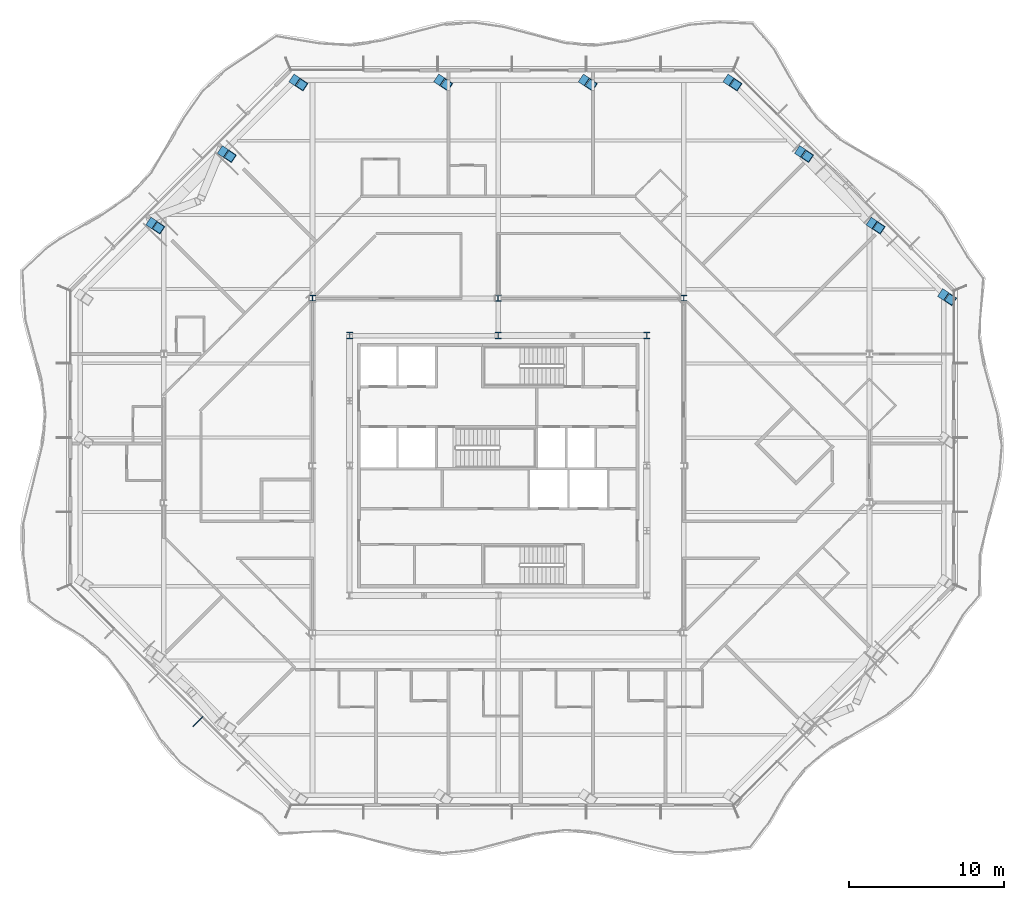
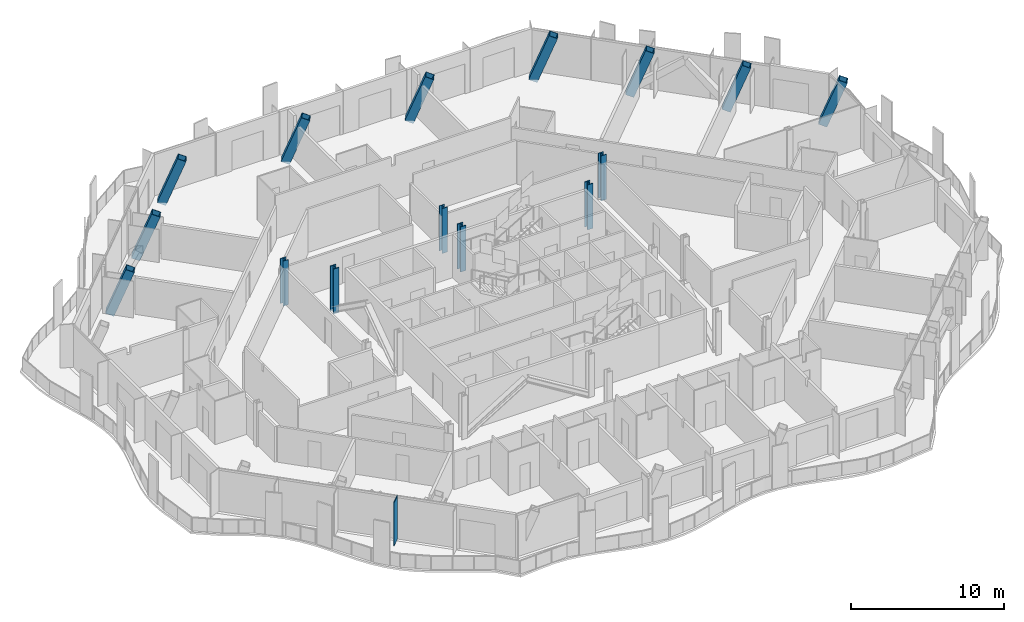
# One storey, part 2 of 21: 15 columns, 1 member, 1 element without a shape of its own.
"""IFC4 building model written with IfcOpenShell, lengths in metres."""

from ifc_helpers import new_model, si_unit, direction, frame, origin, origin_2d, place, context, subcontext, project, spatial, rectangle, hollow_rectangle, i_section, extrude, clip, halfspace, material, material_profile, profile_set, type_object, element, aggregate, save


model = new_model("IFC4")

# Units and contexts
model_context = context("Model", 3, precision=1e-05, world=origin(), true_north=direction((0.0, 1.0)))
body_context = subcontext(model_context, "Body", "Model", "MODEL_VIEW")
ifc_project = project(units=[si_unit("LENGTHUNIT", "METRE"), si_unit("AREAUNIT", "SQUARE_METRE"), si_unit("VOLUMEUNIT", "CUBIC_METRE"), si_unit("PLANEANGLEUNIT", "RADIAN"), si_unit("MASSUNIT", "GRAM", prefix="KILO")], contexts=[model_context])

# Site, building, storey
site_placement = place(None, origin())
site = spatial("IfcSite", under=ifc_project, at=site_placement, CompositionType="ELEMENT")
building_placement = place(site_placement, origin())
building = spatial("IfcBuilding", under=site, at=building_placement, Name="Cairn Pilgrim Tower", CompositionType="ELEMENT")
storey_placement = place(building_placement, frame((0.0, 0.0, 179.39990234375)))
storey = spatial("IfcBuildingStorey", under=building, at=storey_placement, Name="L45", CompositionType="ELEMENT", Elevation=179.39990234375)

# Columns
ifc_material_1 = material(Name="Structural steel S460M", Category="steel")
ifc_material_profile_1 = material_profile(ifc_material_1, hollow_rectangle(XDim=0.60009765625, YDim=0.60009765625, WallThickness=0.034912109375, at=origin_2d()), Name="BOX 600x600x35")
ifc_profile_set_1 = profile_set([ifc_material_profile_1], Name="Structural steel S460M")
column_type_1 = type_object("IfcColumnType", Name="BOX 600x600x35", PredefinedType="COLUMN", material=ifc_profile_set_1)
for number, where, z_axis, x_axis, name in (
    (1, (36.0, 13.42724609375, -0.14990234375), (0.292540258958, -0.195026839305, 0.936154222786), (0.554700196225, 0.832050294338, 0.0), "PC2-NE1"),
    (2, (31.375732421875, 18.051513671875, -0.14990234375), (0.292540258958, -0.195026839305, 0.936154222786), (0.554700196225, 0.832050294338, 0.0), "PC2-NE2"),
    (3, (26.75146484375, 22.67578125, -0.14990234375), (0.292540258958, -0.195026839305, 0.936154222786), (0.554700196225, 0.832050294338, 0.0), "PC2-NE3"),
    (4, (22.127197265625, 27.300048828125, -0.14990234375), (0.292540258958, -0.195026839305, 0.936154222786), (0.554700196225, 0.832050294338, 0.0), "PC2-N1"),
    (5, (12.775634765625, 27.300048828125, -0.14990234375), (0.292540258958, -0.195026839305, 0.936154222786), (0.554700196225, 0.832050294338, 0.0), "PC2-N2"),
    (6, (3.42431640625, 27.300048828125, -0.14990234375), (0.292540258958, -0.195026839305, 0.936154222786), (0.554700196225, 0.832050294338, 0.0), "PC2-N3"),
    (7, (-5.92724609375, 27.300048828125, -0.14990234375), (0.292540258958, -0.195026839305, 0.936154222786), (0.554700196225, 0.832050294338, 0.0), "PC2-NW1"),
    (8, (-10.551513671875, 22.67578125, -0.14990234375), (0.292540258958, -0.195026839305, 0.936154222786), (0.554700196225, 0.832050294338, 0.0), "PC2-NW2"),
    (9, (-15.17578125, 18.051513671875, -0.14990234375), (0.292540258958, -0.195026839305, 0.936154222786), (0.554700196225, 0.832050294338, 0.0), "PC2-NW3"),
):
    element("IfcColumn", number, at=place(storey_placement, frame(where, z_axis=z_axis, x_axis=x_axis)), inside=storey, type_object=column_type_1, Name=name, PredefinedType="COLUMN", context=body_context, shape_type="Clipping", body=[
        clip(clip(extrude(hollow_rectangle(XDim=0.60009765625, YDim=0.60009765625, WallThickness=0.034912109375, at=origin_2d()), origin(), (0.0, 0.0, 1.0), 3.845703125), halfspace(frame((0.0, 0.0, 0.0205078125), z_axis=(0.0, 0.0, 1.0), x_axis=(1.0, 0.0, 0.0)), True)), halfspace(frame((0.0, 0.0, 3.8271484375), z_axis=(0.0, 0.0, 1.0), x_axis=(1.0, 0.0, 0.0)), False)),
    ])
ifc_material_2 = material(Name="Structural steel S355J2", Category="steel")
ifc_material_profile_2 = material_profile(ifc_material_2, i_section(OverallWidth=0.39892578125, OverallDepth=0.39306640625, WebThickness=0.022705078125, FlangeThickness=0.03662109375, FilletRadius=0.014892578125, at=origin_2d()), Name="HD 400x287")
ifc_profile_set_2 = profile_set([ifc_material_profile_2], Name="Structural steel S355J2")
column_type_2 = type_object("IfcColumnType", Name="HD 400x287", PredefinedType="COLUMN", material=ifc_profile_set_2)
for number, where, z_axis, x_axis, name in (
    (10, (-4.800048828125, 13.199951171875, -0.14990234375), (0.0, 0.0, 1.0), (1.0, 0.0, 0.0), "IC-6"),
    (11, (7.199951171875, 13.199951171875, -0.14990234375), (0.0, 0.0, 1.0), (1.0, 0.0, 0.0), "IC-7"),
    (12, (19.199951171875, 13.199951171875, -0.14990234375), (0.0, 0.0, 1.0), (1.0, 0.0, 0.0), "IC-8"),
):
    element("IfcColumn", number, at=place(storey_placement, frame(where, z_axis=z_axis, x_axis=x_axis)), inside=storey, type_object=column_type_2, Name=name, PredefinedType="COLUMN", context=body_context, shape_type="SweptSolid", body=[
        extrude(i_section(OverallWidth=0.39892578125, OverallDepth=0.39306640625, WebThickness=0.022705078125, FlangeThickness=0.03662109375, FilletRadius=0.014892578125, at=origin_2d()), origin(), (0.0, 0.0, 1.0), 3.60009765625),
    ])
ifc_material_profile_3 = material_profile(ifc_material_1, i_section(OverallWidth=0.416015625, OverallDepth=0.446044921875, WebThickness=0.0390625, FlangeThickness=0.062744140625, FilletRadius=0.014892578125, at=origin_2d()), Name="HD 400x509")
ifc_profile_set_3 = profile_set([ifc_material_profile_3], Name="Structural steel S460M")
column_type_3 = type_object("IfcColumnType", Name="HD 400x509", PredefinedType="COLUMN", material=ifc_profile_set_3)
for number, where, z_axis, x_axis, name in (
    (13, (-2.39990234375, 10.800048828125, -0.14990234375), (0.0, 0.0, 1.0), (1.0, 0.0, 0.0), "KC-6"),
    (14, (7.199951171875, 10.800048828125, -0.14990234375), (0.0, 0.0, 1.0), (1.0, 0.0, 0.0), "KC-7"),
    (15, (16.800048828125, 10.800048828125, -0.14990234375), (0.0, 0.0, 1.0), (1.0, 0.0, 0.0), "KC-8"),
):
    element("IfcColumn", number, at=place(storey_placement, frame(where, z_axis=z_axis, x_axis=x_axis)), inside=storey, type_object=column_type_3, Name=name, PredefinedType="COLUMN", context=body_context, shape_type="SweptSolid", body=[
        extrude(i_section(OverallWidth=0.416015625, OverallDepth=0.446044921875, WebThickness=0.0390625, FlangeThickness=0.062744140625, FilletRadius=0.014892578125, at=origin_2d()), origin(), (0.0, 0.0, 1.0), 3.60009765625),
    ])

# Curtain wall, member
ifc_material_3 = material(Name="Aluminium alloy 6063-T6 bronze anodised with Bronze tinted laminated low-E glass 8+16+8.8", Category="aluminium")
curtain_wall_type = type_object("IfcCurtainWallType", Name="CHAMFER CORNER CURTAIN WALL", PredefinedType="NOTDEFINED", material=ifc_material_3)
curtain_wall_placement = place(storey_placement, origin())
curtain_wall = element("IfcCurtainWall", 16, at=curtain_wall_placement, inside=storey, type_object=curtain_wall_type, Name="Chamfer Corner Curtain Wall SW", PredefinedType="NOTDEFINED")
ifc_material_4 = material(Name="Aluminium alloy 6063-T6 bronze anodised", Category="aluminium")
ifc_material_profile_4 = material_profile(ifc_material_4, rectangle(XDim=0.89990234375, YDim=0.06005859375, at=origin_2d()), Name="FIN MULLION 60x900 BRONZE")
ifc_profile_set_4 = profile_set([ifc_material_profile_4], Name="Aluminium alloy 6063-T6 bronze anodised")
member_type = type_object("IfcMemberType", Name="FIN MULLION 60x900 BRONZE", PredefinedType="MULLION", material=ifc_profile_set_4)
member_placement = place(storey_placement, frame((-12.19482421875, -14.1455078125, 0.0), z_axis=(0.0, 0.0, 1.0), x_axis=(-0.707106781187, -0.707106781187, 0.0)))
member = element("IfcMember", 17, at=member_placement, type_object=member_type, Name="Fin mullion SW4", PredefinedType="MULLION", context=body_context, shape_type="SweptSolid", body=[
    extrude(rectangle(XDim=0.89990234375, YDim=0.06005859375, at=origin_2d()), origin(), (0.0, 0.0, 1.0), 3.4501953125),
])
aggregate(curtain_wall, [member])

save(model, "model.ifc")
